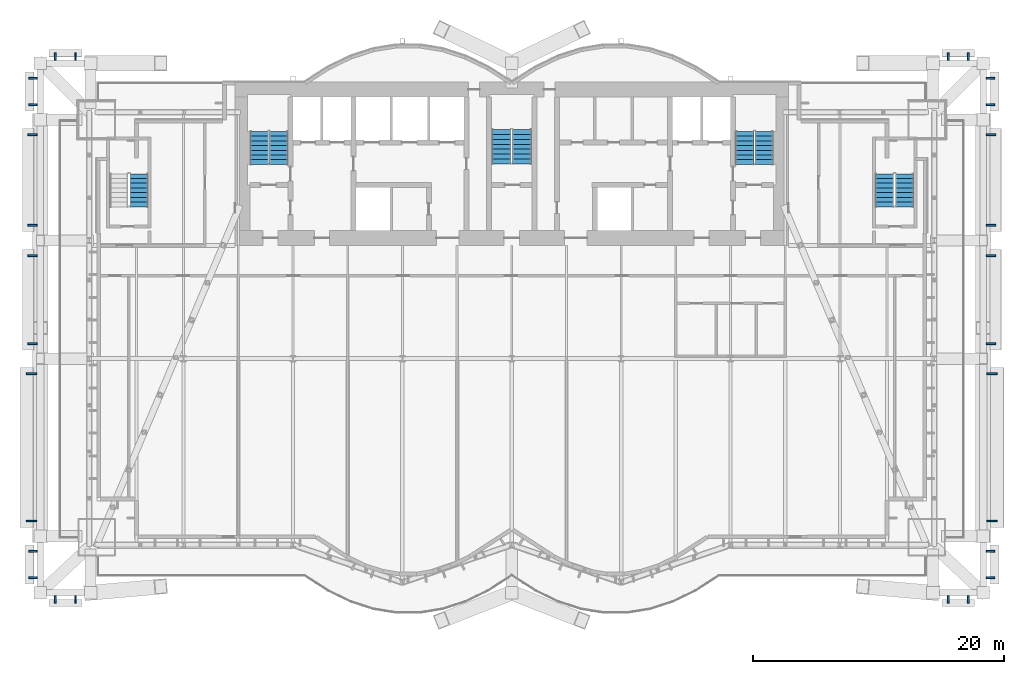
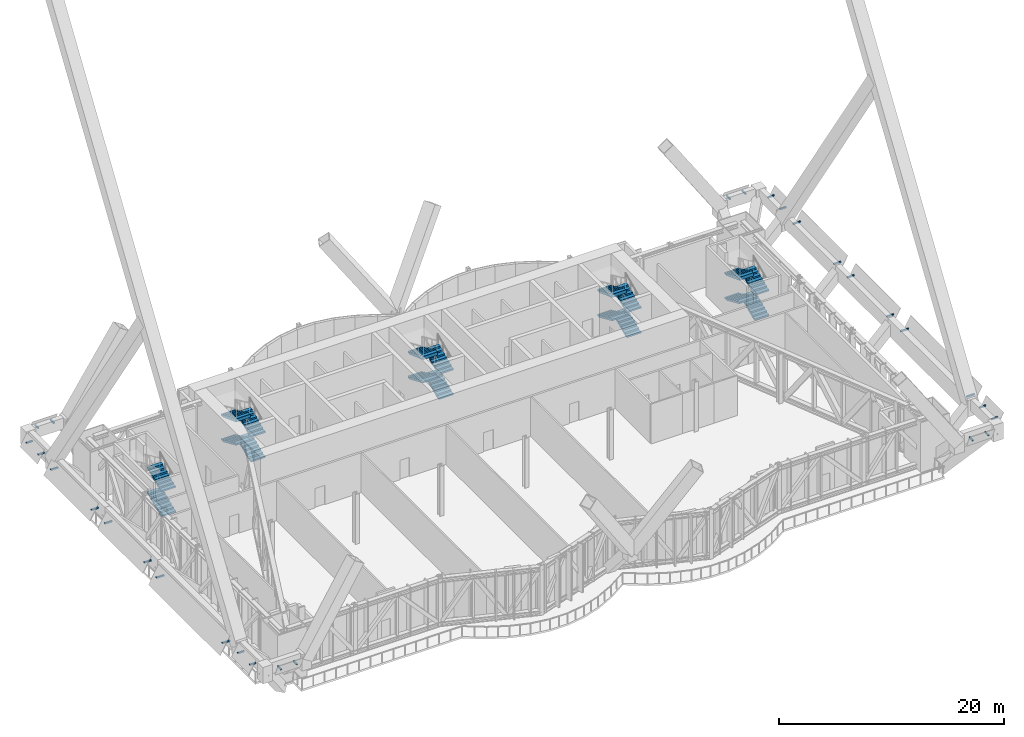
# One storey, part 29 of 32: 28 discrete accessories, 18 stair flights, 5 elements without a shape of their own.
"""IFC4 building model written with IfcOpenShell, lengths in metres."""

import ifcopenshell
import ifcopenshell.guid

model = None  # the IFC model being written
_history = None  # IfcOwnerHistory: only IFC2X3 demands one
_inside = {}  # id of a spatial element -> (the spatial element, [elements in it])
_under = {}  # id of a project, library or spatial element -> (it, [spatial elements below it])
_declared = {}  # id of a project -> (the project, [libraries it declares])
_typed = {}  # id of a type object -> (the type object, [elements of that type])
_made_of = {}  # id of a material, layer set ... -> (it, [elements and type objects made of it])


def new_model(schema):
    """Start an empty IFC model of exactly this schema.

    Asked for "IFC4X3", IfcOpenShell would pick the latest addendum, in which some entities
    have other attributes; the version numbers below select the first issue.
    IFC2X3 requires an IfcOwnerHistory on every rooted entity: one is made here for all.
    """
    global model, _history
    if schema == "IFC4X3":
        model = ifcopenshell.file(schema_version=(4, 3, 0, 0))
    else:
        model = ifcopenshell.file(schema=schema)
    _inside.clear()
    _under.clear()
    _declared.clear()
    _typed.clear()
    _made_of.clear()
    _history = None
    if model.schema == "IFC2X3":
        org = make("IfcOrganization", Name="unknown")
        user = make(
            "IfcPersonAndOrganization",
            ThePerson=make("IfcPerson", FamilyName="unknown"),
            TheOrganization=org,
        )
        app = make(
            "IfcApplication",
            ApplicationDeveloper=org,
            Version="unknown",
            ApplicationFullName="unknown",
            ApplicationIdentifier="unknown",
        )
        _history = make(
            "IfcOwnerHistory",
            OwningUser=user,
            OwningApplication=app,
            ChangeAction="ADDED",
            CreationDate=0,
        )
    return model


def make(cls, **values):
    """One entity of the class cls with the attributes given. An attribute that is None is left unset."""
    return model.create_entity(
        cls, **{name: value for name, value in values.items() if value is not None}
    )


def rooted(cls, **values):
    """An entity with a GlobalId (a new one), such as an element, a storey or a relation."""
    return make(cls, GlobalId=ifcopenshell.guid.new(), OwnerHistory=_history, **values)


def si_unit(unit_type, name, prefix=None):
    """IfcSIUnit, for example si_unit("LENGTHUNIT", "METRE", prefix="MILLI")."""
    return make("IfcSIUnit", UnitType=unit_type, Prefix=prefix, Name=name)


def assignment(units):
    """IfcUnitAssignment: the units of a project."""
    return None if units is None else make("IfcUnitAssignment", Units=units)


def point(xyz):
    """IfcCartesianPoint."""
    return None if xyz is None else make("IfcCartesianPoint", Coordinates=xyz)


def direction(xyz):
    """IfcDirection."""
    return None if xyz is None else make("IfcDirection", DirectionRatios=xyz)


def frame(location, z_axis=None, x_axis=None):
    """IfcAxis2Placement3D, a coordinate frame: its origin and axes. An axis left out is left unset."""
    return make(
        "IfcAxis2Placement3D",
        Location=point(location),
        Axis=direction(z_axis),
        RefDirection=direction(x_axis),
    )


def frame_2d(location, x_axis=None):
    """IfcAxis2Placement2D, a coordinate frame in the plane: its origin and x axis."""
    return make(
        "IfcAxis2Placement2D", Location=point(location), RefDirection=direction(x_axis)
    )


def origin():
    """The frame at (0, 0, 0) with its axes left unset."""
    return frame((0.0, 0.0, 0.0))


def origin_2d():
    """The frame at (0, 0) in the plane with its x axis left unset."""
    return frame_2d((0.0, 0.0))


def place(relative_to, where):
    """IfcLocalPlacement: puts the frame where relative to a parent placement (None: the world)."""
    return make(
        "IfcLocalPlacement", PlacementRelTo=relative_to, RelativePlacement=where
    )


def context(
    kind, dimensions, precision=None, world=None, true_north=None, identifier=None
):
    """IfcGeometricRepresentationContext, for example the 3D "Model" context."""
    return make(
        "IfcGeometricRepresentationContext",
        ContextIdentifier=identifier,
        ContextType=kind,
        CoordinateSpaceDimension=dimensions,
        Precision=precision,
        WorldCoordinateSystem=world,
        TrueNorth=true_north,
    )


def subcontext(parent, identifier, kind, view, scale=None):
    """IfcGeometricRepresentationSubContext, for example "Body" below "Model"."""
    return make(
        "IfcGeometricRepresentationSubContext",
        ContextIdentifier=identifier,
        ContextType=kind,
        ParentContext=parent,
        TargetScale=scale,
        TargetView=view,
    )


def project(units=None, contexts=None):
    """IfcProject with its units and contexts."""
    return rooted(
        "IfcProject",
        Name="project",
        RepresentationContexts=contexts,
        UnitsInContext=assignment(units),
    )


def spatial(cls, under=None, at=None, **own):
    """A site, building, storey or space (cls), placed at a placement, below another one or the project."""
    s = rooted(cls, ObjectPlacement=at, **own)
    if under is not None:
        _under.setdefault(under.id(), (under, []))[1].append(s)
    return s


def polyline(points):
    """IfcPolyline through the points."""
    return make("IfcPolyline", Points=[point(p) for p in points])


def profile(cls, at=None, kind="AREA", **sizes):
    """A parametric profile (cls). Its sizes go by their IFC names, for example OverallWidth=200.0."""
    return make(cls, ProfileType=kind, Position=at, **sizes)


def rectangle(**sizes):
    """IfcRectangleProfileDef."""
    return profile("IfcRectangleProfileDef", **sizes)


def outline(outer, holes=None, kind="AREA"):
    """IfcArbitraryClosedProfileDef: a profile drawn as a closed curve; with holes, ...WithVoids."""
    if holes is None:
        return make("IfcArbitraryClosedProfileDef", ProfileType=kind, OuterCurve=outer)
    return make(
        "IfcArbitraryProfileDefWithVoids",
        ProfileType=kind,
        OuterCurve=outer,
        InnerCurves=holes,
    )


def extrude(swept, where, along, depth):
    """IfcExtrudedAreaSolid: the profile swept, set in the frame where, extruded along a direction by depth."""
    return make(
        "IfcExtrudedAreaSolid",
        SweptArea=swept,
        Position=where,
        ExtrudedDirection=direction(along),
        Depth=depth,
    )


def shape(context_of_items, identifier, shape_type, items):
    """IfcShapeRepresentation: the items that make up one representation, for example the "Body"."""
    return make(
        "IfcShapeRepresentation",
        ContextOfItems=context_of_items,
        RepresentationIdentifier=identifier,
        RepresentationType=shape_type,
        Items=items,
    )


def material(Name=None, Category=None):
    """IfcMaterial."""
    return make("IfcMaterial", Name=Name, Category=Category)


def made_of(thing, what):
    """Note that an element or type object is made of a material, layer set ...; save() writes the relation."""
    if what is not None:
        _made_of.setdefault(what.id(), (what, []))[1].append(thing)
    return thing


def type_object(cls, material=None, **own):
    """A type object (cls), such as IfcWallType, which elements share."""
    return made_of(rooted(cls, **own), material)


def element(
    cls,
    number,
    at=None,
    inside=None,
    cuts=None,
    type_object=None,
    material=None,
    context=None,
    identifier="Body",
    shape_type=None,
    held_by="IfcProductDefinitionShape",
    body=None,
    shapes=None,
    **own,
):
    """One element of the class cls, such as IfcWall. Its Tag is "e" and its number.

    at: its placement. inside: the storey or other place that contains it. cuts: it is an
    opening in that element (IfcRelVoidsElement). A single representation is given by context,
    identifier, shape_type and body (its items); several are given by shapes. held_by: the class
    of the entity that holds the representations. save() writes the other relations.
    """
    e = rooted(cls, Tag="e%d" % number, ObjectPlacement=at, **own)
    if body is not None:
        shapes = [shape(context, identifier, shape_type, body)]
    if shapes is not None:
        e.Representation = make(held_by, Representations=shapes)
    if inside is not None:
        _inside.setdefault(inside.id(), (inside, []))[1].append(e)
    if cuts is not None:
        rooted(
            "IfcRelVoidsElement", RelatingBuildingElement=cuts, RelatedOpeningElement=e
        )
    if type_object is not None:
        _typed.setdefault(type_object.id(), (type_object, []))[1].append(e)
    return made_of(e, material)


def aggregate(whole, parts):
    """IfcRelAggregates: a whole, such as a stair, and the parts it consists of."""
    return rooted("IfcRelAggregates", RelatingObject=whole, RelatedObjects=parts)


def save(model, path):
    """Write the relations noted so far, then the file.

    IfcRelAggregates (storeys below a building ...), IfcRelContainedInSpatialStructure (elements
    in a storey), IfcRelDefinesByType, IfcRelAssociatesMaterial and IfcRelDeclares: one each for
    every whole, place, type object, material and project.
    """
    for whole, parts in _under.values():
        aggregate(whole, parts)
    for where, things in _inside.values():
        rooted(
            "IfcRelContainedInSpatialStructure",
            RelatedElements=things,
            RelatingStructure=where,
        )
    for kind, things in _typed.values():
        rooted("IfcRelDefinesByType", RelatedObjects=things, RelatingType=kind)
    for what, things in _made_of.values():
        rooted("IfcRelAssociatesMaterial", RelatedObjects=things, RelatingMaterial=what)
    for by, libraries in _declared.values():
        rooted("IfcRelDeclares", RelatingContext=by, RelatedDefinitions=libraries)
    model.write(path)


model = new_model("IFC4")

# Units and contexts
model_context = context("Model", 3, precision=1e-05, world=origin(), true_north=direction((0.0, 1.0)))
body_context = subcontext(model_context, "Body", "Model", "MODEL_VIEW")
ifc_project = project(units=[si_unit("LENGTHUNIT", "METRE"), si_unit("AREAUNIT", "SQUARE_METRE"), si_unit("VOLUMEUNIT", "CUBIC_METRE"), si_unit("PLANEANGLEUNIT", "RADIAN"), si_unit("MASSUNIT", "GRAM", prefix="KILO")], contexts=[model_context])

# Site, building, storey
site_placement = place(None, origin())
site = spatial("IfcSite", under=ifc_project, at=site_placement, CompositionType="ELEMENT")
building_placement = place(site_placement, origin())
building = spatial("IfcBuilding", under=site, at=building_placement, Name="Bicima Exchange Tower", CompositionType="ELEMENT")
storey_placement = place(building_placement, frame((0.0, 0.0, 84.5)))
storey = spatial("IfcBuildingStorey", under=building, at=storey_placement, Name="L17", CompositionType="ELEMENT", Elevation=84.5)

# Stair, stair flights
ifc_material_1 = material(Name="Concrete C50/60", Category="concrete")
stair_type_1 = type_object("IfcStairType", Name="Exit stair", PredefinedType="HALF_TURN_STAIR", material=ifc_material_1)
stair_1_placement = place(storey_placement, origin())
stair_1 = element("IfcStair", 1, at=stair_1_placement, inside=storey, type_object=stair_type_1, Name="L17 West exit stair", PredefinedType="HALF_TURN_STAIR")
stair_flight_type_1 = type_object("IfcStairFlightType", Name="Stair flight RC", PredefinedType="STRAIGHT", material=ifc_material_1)
stair_flight_1_placement = place(storey_placement, frame((-18.52490234375, -6.550048828125, 0.0), z_axis=(0.0, 0.0, 1.0), x_axis=(0.0, 1.0, 0.0)))
stair_flight_1 = element("IfcStairFlight", 2, at=stair_flight_1_placement, type_object=stair_flight_type_1, Name="ST-W flight 1", NumberOfRisers=8, NumberOfTreads=7, PredefinedType="STRAIGHT", RiserHeight=0.16875, TreadLength=0.375714286, context=body_context, shape_type="SweptSolid", body=[
    extrude(outline(polyline([(0.0, 0.0), (0.0, 0.168701171875), (0.375732421875, 0.168701171875), (0.375732421875, 0.33740234375), (0.75146484375, 0.33740234375), (0.75146484375, 0.50634765625), (1.127197265625, 0.50634765625), (1.127197265625, 0.675048828125), (1.5029296875, 0.675048828125), (1.5029296875, 0.84375), (1.878662109375, 0.84375), (1.878662109375, 1.012451171875), (2.25439453125, 1.012451171875), (2.25439453125, 1.18115234375), (2.6298828125, 1.18115234375), (2.6298828125, 1.35009765625), (2.6298828125, 1.016845703125), (0.365966796875, 0.0), (0.0, 0.0)])), frame((0.0, 0.72509765625, 0.0), z_axis=(0.0, -1.0, 0.0), x_axis=(1.0, 0.0, 0.0)), (0.0, 0.0, 1.0), 1.449951171875),
])
stair_flight_2_placement = place(storey_placement, frame((-20.074951171875, -3.919921875, 1.35009765625), z_axis=(0.0, 0.0, 1.0), x_axis=(0.0, -1.0, 0.0)))
stair_flight_2 = element("IfcStairFlight", 3, at=stair_flight_2_placement, type_object=stair_flight_type_1, Name="ST-W flight 2", NumberOfRisers=8, NumberOfTreads=7, PredefinedType="STRAIGHT", RiserHeight=0.16875, TreadLength=0.375714286, context=body_context, shape_type="SweptSolid", body=[
    extrude(outline(polyline([(0.0, 0.0), (0.0, 0.168701171875), (0.375732421875, 0.168701171875), (0.375732421875, 0.33740234375), (0.75146484375, 0.33740234375), (0.75146484375, 0.50634765625), (1.127197265625, 0.50634765625), (1.127197265625, 0.675048828125), (1.5029296875, 0.675048828125), (1.5029296875, 0.84375), (1.878662109375, 0.84375), (1.878662109375, 1.012451171875), (2.25439453125, 1.012451171875), (2.25439453125, 1.18115234375), (2.6298828125, 1.18115234375), (2.6298828125, 1.35009765625), (2.6298828125, 1.016845703125), (0.365966796875, 0.0), (0.0, 0.0)])), frame((0.0, 0.72509765625, 0.0), z_axis=(0.0, -1.0, 0.0), x_axis=(1.0, 0.0, 0.0)), (0.0, 0.0, 1.0), 1.449951171875),
])
stair_flight_3_placement = place(storey_placement, frame((-18.52490234375, -6.550048828125, 2.699951171875), z_axis=(0.0, 0.0, 1.0), x_axis=(0.0, 1.0, 0.0)))
stair_flight_3 = element("IfcStairFlight", 4, at=stair_flight_3_placement, type_object=stair_flight_type_1, Name="ST-W flight 3", NumberOfRisers=8, NumberOfTreads=7, PredefinedType="STRAIGHT", RiserHeight=0.16875, TreadLength=0.375714286, context=body_context, shape_type="SweptSolid", body=[
    extrude(outline(polyline([(0.0, 0.0), (0.0, 0.168701171875), (0.375732421875, 0.168701171875), (0.375732421875, 0.33740234375), (0.75146484375, 0.33740234375), (0.75146484375, 0.50634765625), (1.127197265625, 0.50634765625), (1.127197265625, 0.675048828125), (1.5029296875, 0.675048828125), (1.5029296875, 0.84375), (1.878662109375, 0.84375), (1.878662109375, 1.012451171875), (2.25439453125, 1.012451171875), (2.25439453125, 1.18115234375), (2.6298828125, 1.18115234375), (2.6298828125, 1.35009765625), (2.6298828125, 1.016845703125), (0.365966796875, 0.0), (0.0, 0.0)])), frame((0.0, 0.72509765625, 0.0), z_axis=(0.0, -1.0, 0.0), x_axis=(1.0, 0.0, 0.0)), (0.0, 0.0, 1.0), 1.449951171875),
])
stair_flight_4_placement = place(storey_placement, frame((-20.074951171875, -3.919921875, 4.050048828125), z_axis=(0.0, 0.0, 1.0), x_axis=(0.0, -1.0, 0.0)))
stair_flight_4 = element("IfcStairFlight", 5, at=stair_flight_4_placement, type_object=stair_flight_type_1, Name="ST-W flight 4", NumberOfRisers=8, NumberOfTreads=7, PredefinedType="STRAIGHT", RiserHeight=0.16875, TreadLength=0.375714286, context=body_context, shape_type="SweptSolid", body=[
    extrude(outline(polyline([(0.0, 0.0), (0.0, 0.168701171875), (0.375732421875, 0.168701171875), (0.375732421875, 0.33740234375), (0.75146484375, 0.33740234375), (0.75146484375, 0.50634765625), (1.127197265625, 0.50634765625), (1.127197265625, 0.675048828125), (1.5029296875, 0.675048828125), (1.5029296875, 0.84375), (1.878662109375, 0.84375), (1.878662109375, 1.012451171875), (2.25439453125, 1.012451171875), (2.25439453125, 1.18115234375), (2.6298828125, 1.18115234375), (2.6298828125, 1.2041015625), (2.64501953125, 1.2041015625), (2.64501953125, 0.85498046875), (0.365966796875, 0.0), (0.0, 0.0)])), frame((0.0, 0.72509765625, 0.0), z_axis=(0.0, -1.0, 0.0), x_axis=(1.0, 0.0, 0.0)), (0.0, 0.0, 1.0), 1.449951171875),
])
aggregate(stair_1, [stair_flight_1, stair_flight_2, stair_flight_3, stair_flight_4])

stair_2_placement = place(storey_placement, origin())
stair_2 = element("IfcStair", 6, at=stair_2_placement, inside=storey, type_object=stair_type_1, Name="L17 East exit stair", PredefinedType="HALF_TURN_STAIR")
stair_flight_5_placement = place(storey_placement, frame((20.074951171875, -6.550048828125, 0.0), z_axis=(0.0, 0.0, 1.0), x_axis=(0.0, 1.0, 0.0)))
stair_flight_5 = element("IfcStairFlight", 7, at=stair_flight_5_placement, type_object=stair_flight_type_1, Name="ST-E flight 1", NumberOfRisers=8, NumberOfTreads=7, PredefinedType="STRAIGHT", RiserHeight=0.16875, TreadLength=0.375714286, context=body_context, shape_type="SweptSolid", body=[
    extrude(outline(polyline([(0.0, 0.0), (0.0, 0.168701171875), (0.375732421875, 0.168701171875), (0.375732421875, 0.33740234375), (0.75146484375, 0.33740234375), (0.75146484375, 0.50634765625), (1.127197265625, 0.50634765625), (1.127197265625, 0.675048828125), (1.5029296875, 0.675048828125), (1.5029296875, 0.84375), (1.878662109375, 0.84375), (1.878662109375, 1.012451171875), (2.25439453125, 1.012451171875), (2.25439453125, 1.18115234375), (2.6298828125, 1.18115234375), (2.6298828125, 1.35009765625), (2.6298828125, 1.016845703125), (0.365966796875, 0.0), (0.0, 0.0)])), frame((0.0, 0.72509765625, 0.0), z_axis=(0.0, -1.0, 0.0), x_axis=(1.0, 0.0, 0.0)), (0.0, 0.0, 1.0), 1.449951171875),
])
stair_flight_6_placement = place(storey_placement, frame((18.52490234375, -3.919921875, 1.35009765625), z_axis=(0.0, 0.0, 1.0), x_axis=(0.0, -1.0, 0.0)))
stair_flight_6 = element("IfcStairFlight", 8, at=stair_flight_6_placement, type_object=stair_flight_type_1, Name="ST-E flight 2", NumberOfRisers=8, NumberOfTreads=7, PredefinedType="STRAIGHT", RiserHeight=0.16875, TreadLength=0.375714286, context=body_context, shape_type="SweptSolid", body=[
    extrude(outline(polyline([(0.0, 0.0), (0.0, 0.168701171875), (0.375732421875, 0.168701171875), (0.375732421875, 0.33740234375), (0.75146484375, 0.33740234375), (0.75146484375, 0.50634765625), (1.127197265625, 0.50634765625), (1.127197265625, 0.675048828125), (1.5029296875, 0.675048828125), (1.5029296875, 0.84375), (1.878662109375, 0.84375), (1.878662109375, 1.012451171875), (2.25439453125, 1.012451171875), (2.25439453125, 1.18115234375), (2.6298828125, 1.18115234375), (2.6298828125, 1.35009765625), (2.6298828125, 1.016845703125), (0.365966796875, 0.0), (0.0, 0.0)])), frame((0.0, 0.72509765625, 0.0), z_axis=(0.0, -1.0, 0.0), x_axis=(1.0, 0.0, 0.0)), (0.0, 0.0, 1.0), 1.449951171875),
])
stair_flight_7_placement = place(storey_placement, frame((20.074951171875, -6.550048828125, 2.699951171875), z_axis=(0.0, 0.0, 1.0), x_axis=(0.0, 1.0, 0.0)))
stair_flight_7 = element("IfcStairFlight", 9, at=stair_flight_7_placement, type_object=stair_flight_type_1, Name="ST-E flight 3", NumberOfRisers=8, NumberOfTreads=7, PredefinedType="STRAIGHT", RiserHeight=0.16875, TreadLength=0.375714286, context=body_context, shape_type="SweptSolid", body=[
    extrude(outline(polyline([(0.0, 0.0), (0.0, 0.168701171875), (0.375732421875, 0.168701171875), (0.375732421875, 0.33740234375), (0.75146484375, 0.33740234375), (0.75146484375, 0.50634765625), (1.127197265625, 0.50634765625), (1.127197265625, 0.675048828125), (1.5029296875, 0.675048828125), (1.5029296875, 0.84375), (1.878662109375, 0.84375), (1.878662109375, 1.012451171875), (2.25439453125, 1.012451171875), (2.25439453125, 1.18115234375), (2.6298828125, 1.18115234375), (2.6298828125, 1.35009765625), (2.6298828125, 1.016845703125), (0.365966796875, 0.0), (0.0, 0.0)])), frame((0.0, 0.72509765625, 0.0), z_axis=(0.0, -1.0, 0.0), x_axis=(1.0, 0.0, 0.0)), (0.0, 0.0, 1.0), 1.449951171875),
])
stair_flight_8_placement = place(storey_placement, frame((18.52490234375, -3.919921875, 4.050048828125), z_axis=(0.0, 0.0, 1.0), x_axis=(0.0, -1.0, 0.0)))
stair_flight_8 = element("IfcStairFlight", 10, at=stair_flight_8_placement, type_object=stair_flight_type_1, Name="ST-E flight 4", NumberOfRisers=8, NumberOfTreads=7, PredefinedType="STRAIGHT", RiserHeight=0.16875, TreadLength=0.375714286, context=body_context, shape_type="SweptSolid", body=[
    extrude(outline(polyline([(0.0, 0.0), (0.0, 0.168701171875), (0.375732421875, 0.168701171875), (0.375732421875, 0.33740234375), (0.75146484375, 0.33740234375), (0.75146484375, 0.50634765625), (1.127197265625, 0.50634765625), (1.127197265625, 0.675048828125), (1.5029296875, 0.675048828125), (1.5029296875, 0.84375), (1.878662109375, 0.84375), (1.878662109375, 1.012451171875), (2.25439453125, 1.012451171875), (2.25439453125, 1.18115234375), (2.6298828125, 1.18115234375), (2.6298828125, 1.2041015625), (2.64501953125, 1.2041015625), (2.64501953125, 0.85498046875), (0.365966796875, 0.0), (0.0, 0.0)])), frame((0.0, 0.72509765625, 0.0), z_axis=(0.0, -1.0, 0.0), x_axis=(1.0, 0.0, 0.0)), (0.0, 0.0, 1.0), 1.449951171875),
])
aggregate(stair_2, [stair_flight_5, stair_flight_6, stair_flight_7, stair_flight_8])

stair_3_placement = place(storey_placement, origin())
stair_3 = element("IfcStair", 11, at=stair_3_placement, inside=storey, type_object=stair_type_1, Name="L17 West end exit stair", PredefinedType="HALF_TURN_STAIR")
stair_flight_9_placement = place(storey_placement, frame((-29.64990234375, -9.925048828125, 0.0), z_axis=(0.0, 0.0, 1.0), x_axis=(0.0, 1.0, 0.0)))
stair_flight_9 = element("IfcStairFlight", 12, at=stair_flight_9_placement, type_object=stair_flight_type_1, Name="ST-WW flight 1", NumberOfRisers=8, NumberOfTreads=7, PredefinedType="STRAIGHT", RiserHeight=0.16875, TreadLength=0.375714286, context=body_context, shape_type="SweptSolid", body=[
    extrude(outline(polyline([(0.0, 0.0), (0.0, 0.168701171875), (0.375732421875, 0.168701171875), (0.375732421875, 0.33740234375), (0.75146484375, 0.33740234375), (0.75146484375, 0.50634765625), (1.127197265625, 0.50634765625), (1.127197265625, 0.675048828125), (1.5029296875, 0.675048828125), (1.5029296875, 0.84375), (1.878662109375, 0.84375), (1.878662109375, 1.012451171875), (2.25439453125, 1.012451171875), (2.25439453125, 1.18115234375), (2.6298828125, 1.18115234375), (2.6298828125, 1.35009765625), (2.6298828125, 1.016845703125), (0.365966796875, 0.0), (0.0, 0.0)])), frame((0.0, 0.72509765625, 0.0), z_axis=(0.0, -1.0, 0.0), x_axis=(1.0, 0.0, 0.0)), (0.0, 0.0, 1.0), 1.449951171875),
])
stair_flight_10_placement = place(storey_placement, frame((-29.64990234375, -9.925048828125, 2.699951171875), z_axis=(0.0, 0.0, 1.0), x_axis=(0.0, 1.0, 0.0)))
stair_flight_10 = element("IfcStairFlight", 13, at=stair_flight_10_placement, type_object=stair_flight_type_1, Name="ST-WW flight 3", NumberOfRisers=8, NumberOfTreads=7, PredefinedType="STRAIGHT", RiserHeight=0.16875, TreadLength=0.375714286, context=body_context, shape_type="SweptSolid", body=[
    extrude(outline(polyline([(0.0, 0.0), (0.0, 0.168701171875), (0.375732421875, 0.168701171875), (0.375732421875, 0.33740234375), (0.75146484375, 0.33740234375), (0.75146484375, 0.50634765625), (1.127197265625, 0.50634765625), (1.127197265625, 0.675048828125), (1.5029296875, 0.675048828125), (1.5029296875, 0.84375), (1.878662109375, 0.84375), (1.878662109375, 1.012451171875), (2.25439453125, 1.012451171875), (2.25439453125, 1.18115234375), (2.6298828125, 1.18115234375), (2.6298828125, 1.35009765625), (2.6298828125, 1.016845703125), (0.365966796875, 0.0), (0.0, 0.0)])), frame((0.0, 0.72509765625, 0.0), z_axis=(0.0, -1.0, 0.0), x_axis=(1.0, 0.0, 0.0)), (0.0, 0.0, 1.0), 1.449951171875),
])
aggregate(stair_3, [stair_flight_9, stair_flight_10])

stair_4_placement = place(storey_placement, origin())
stair_4 = element("IfcStair", 14, at=stair_4_placement, inside=storey, type_object=stair_type_1, Name="L17 East end exit stair", PredefinedType="HALF_TURN_STAIR")
stair_flight_11_placement = place(storey_placement, frame((31.25, -9.925048828125, 0.0), z_axis=(0.0, 0.0, 1.0), x_axis=(0.0, 1.0, 0.0)))
stair_flight_11 = element("IfcStairFlight", 15, at=stair_flight_11_placement, type_object=stair_flight_type_1, Name="ST-EE flight 1", NumberOfRisers=8, NumberOfTreads=7, PredefinedType="STRAIGHT", RiserHeight=0.16875, TreadLength=0.375714286, context=body_context, shape_type="SweptSolid", body=[
    extrude(outline(polyline([(0.0, 0.0), (0.0, 0.168701171875), (0.375732421875, 0.168701171875), (0.375732421875, 0.33740234375), (0.75146484375, 0.33740234375), (0.75146484375, 0.50634765625), (1.127197265625, 0.50634765625), (1.127197265625, 0.675048828125), (1.5029296875, 0.675048828125), (1.5029296875, 0.84375), (1.878662109375, 0.84375), (1.878662109375, 1.012451171875), (2.25439453125, 1.012451171875), (2.25439453125, 1.18115234375), (2.6298828125, 1.18115234375), (2.6298828125, 1.35009765625), (2.6298828125, 1.016845703125), (0.365966796875, 0.0), (0.0, 0.0)])), frame((0.0, 0.72509765625, 0.0), z_axis=(0.0, -1.0, 0.0), x_axis=(1.0, 0.0, 0.0)), (0.0, 0.0, 1.0), 1.449951171875),
])
stair_flight_12_placement = place(storey_placement, frame((29.64990234375, -7.294921875, 1.35009765625), z_axis=(0.0, 0.0, 1.0), x_axis=(0.0, -1.0, 0.0)))
stair_flight_12 = element("IfcStairFlight", 16, at=stair_flight_12_placement, type_object=stair_flight_type_1, Name="ST-EE flight 2", NumberOfRisers=8, NumberOfTreads=7, PredefinedType="STRAIGHT", RiserHeight=0.16875, TreadLength=0.375714286, context=body_context, shape_type="SweptSolid", body=[
    extrude(outline(polyline([(0.0, 0.0), (0.0, 0.168701171875), (0.375732421875, 0.168701171875), (0.375732421875, 0.33740234375), (0.75146484375, 0.33740234375), (0.75146484375, 0.50634765625), (1.127197265625, 0.50634765625), (1.127197265625, 0.675048828125), (1.5029296875, 0.675048828125), (1.5029296875, 0.84375), (1.878662109375, 0.84375), (1.878662109375, 1.012451171875), (2.25439453125, 1.012451171875), (2.25439453125, 1.18115234375), (2.6298828125, 1.18115234375), (2.6298828125, 1.35009765625), (2.6298828125, 1.016845703125), (0.365966796875, 0.0), (0.0, 0.0)])), frame((0.0, 0.72509765625, 0.0), z_axis=(0.0, -1.0, 0.0), x_axis=(1.0, 0.0, 0.0)), (0.0, 0.0, 1.0), 1.449951171875),
])
stair_flight_13_placement = place(storey_placement, frame((31.25, -9.925048828125, 2.699951171875), z_axis=(0.0, 0.0, 1.0), x_axis=(0.0, 1.0, 0.0)))
stair_flight_13 = element("IfcStairFlight", 17, at=stair_flight_13_placement, type_object=stair_flight_type_1, Name="ST-EE flight 3", NumberOfRisers=8, NumberOfTreads=7, PredefinedType="STRAIGHT", RiserHeight=0.16875, TreadLength=0.375714286, context=body_context, shape_type="SweptSolid", body=[
    extrude(outline(polyline([(0.0, 0.0), (0.0, 0.168701171875), (0.375732421875, 0.168701171875), (0.375732421875, 0.33740234375), (0.75146484375, 0.33740234375), (0.75146484375, 0.50634765625), (1.127197265625, 0.50634765625), (1.127197265625, 0.675048828125), (1.5029296875, 0.675048828125), (1.5029296875, 0.84375), (1.878662109375, 0.84375), (1.878662109375, 1.012451171875), (2.25439453125, 1.012451171875), (2.25439453125, 1.18115234375), (2.6298828125, 1.18115234375), (2.6298828125, 1.35009765625), (2.6298828125, 1.016845703125), (0.365966796875, 0.0), (0.0, 0.0)])), frame((0.0, 0.72509765625, 0.0), z_axis=(0.0, -1.0, 0.0), x_axis=(1.0, 0.0, 0.0)), (0.0, 0.0, 1.0), 1.449951171875),
])
stair_flight_14_placement = place(storey_placement, frame((29.64990234375, -7.294921875, 4.050048828125), z_axis=(0.0, 0.0, 1.0), x_axis=(0.0, -1.0, 0.0)))
stair_flight_14 = element("IfcStairFlight", 18, at=stair_flight_14_placement, type_object=stair_flight_type_1, Name="ST-EE flight 4", NumberOfRisers=8, NumberOfTreads=7, PredefinedType="STRAIGHT", RiserHeight=0.16875, TreadLength=0.375714286, context=body_context, shape_type="SweptSolid", body=[
    extrude(outline(polyline([(0.0, 0.0), (0.0, 0.168701171875), (0.375732421875, 0.168701171875), (0.375732421875, 0.33740234375), (0.75146484375, 0.33740234375), (0.75146484375, 0.50634765625), (1.127197265625, 0.50634765625), (1.127197265625, 0.675048828125), (1.5029296875, 0.675048828125), (1.5029296875, 0.84375), (1.878662109375, 0.84375), (1.878662109375, 1.012451171875), (2.25439453125, 1.012451171875), (2.25439453125, 1.18115234375), (2.6298828125, 1.18115234375), (2.6298828125, 1.2041015625), (2.64501953125, 1.2041015625), (2.64501953125, 0.85498046875), (0.365966796875, 0.0), (0.0, 0.0)])), frame((0.0, 0.72509765625, 0.0), z_axis=(0.0, -1.0, 0.0), x_axis=(1.0, 0.0, 0.0)), (0.0, 0.0, 1.0), 1.449951171875),
])
aggregate(stair_4, [stair_flight_11, stair_flight_12, stair_flight_13, stair_flight_14])

stair_type_2 = type_object("IfcStairType", Name="Exit stair 1500", PredefinedType="HALF_TURN_STAIR", material=ifc_material_1)
stair_5_placement = place(storey_placement, origin())
stair_5 = element("IfcStair", 19, at=stair_5_placement, inside=storey, type_object=stair_type_2, Name="L17 Central exit stair", PredefinedType="HALF_TURN_STAIR")
stair_flight_type_2 = type_object("IfcStairFlightType", Name="Stair flight RC 1500", PredefinedType="STRAIGHT", material=ifc_material_1)
stair_flight_15_placement = place(storey_placement, frame((0.824951171875, -6.5, 0.0), z_axis=(0.0, 0.0, 1.0), x_axis=(0.0, 1.0, 0.0)))
stair_flight_15 = element("IfcStairFlight", 20, at=stair_flight_15_placement, type_object=stair_flight_type_2, Name="ST-C flight 1", NumberOfRisers=8, NumberOfTreads=7, PredefinedType="STRAIGHT", RiserHeight=0.16875, TreadLength=0.388571429, context=body_context, shape_type="SweptSolid", body=[
    extrude(outline(polyline([(0.0, 0.0), (0.0, 0.168701171875), (0.388671875, 0.168701171875), (0.388671875, 0.33740234375), (0.777099609375, 0.33740234375), (0.777099609375, 0.50634765625), (1.165771484375, 0.50634765625), (1.165771484375, 0.675048828125), (1.55419921875, 0.675048828125), (1.55419921875, 0.84375), (1.94287109375, 0.84375), (1.94287109375, 1.012451171875), (2.33154296875, 1.012451171875), (2.33154296875, 1.18115234375), (2.719970703125, 1.18115234375), (2.719970703125, 1.35009765625), (2.719970703125, 1.017822265625), (0.376220703125, 0.0), (0.0, 0.0)])), frame((0.0, 0.75, 0.0), z_axis=(0.0, -1.0, 0.0), x_axis=(1.0, 0.0, 0.0)), (0.0, 0.0, 1.0), 1.5),
])
stair_flight_16_placement = place(storey_placement, frame((-0.824951171875, -3.780029296875, 1.35009765625), z_axis=(0.0, 0.0, 1.0), x_axis=(0.0, -1.0, 0.0)))
stair_flight_16 = element("IfcStairFlight", 21, at=stair_flight_16_placement, type_object=stair_flight_type_2, Name="ST-C flight 2", NumberOfRisers=8, NumberOfTreads=7, PredefinedType="STRAIGHT", RiserHeight=0.16875, TreadLength=0.388571429, context=body_context, shape_type="SweptSolid", body=[
    extrude(outline(polyline([(0.0, 0.0), (0.0, 0.168701171875), (0.388671875, 0.168701171875), (0.388671875, 0.33740234375), (0.777099609375, 0.33740234375), (0.777099609375, 0.50634765625), (1.165771484375, 0.50634765625), (1.165771484375, 0.675048828125), (1.55419921875, 0.675048828125), (1.55419921875, 0.84375), (1.94287109375, 0.84375), (1.94287109375, 1.012451171875), (2.33154296875, 1.012451171875), (2.33154296875, 1.18115234375), (2.719970703125, 1.18115234375), (2.719970703125, 1.35009765625), (2.719970703125, 1.017822265625), (0.376220703125, 0.0), (0.0, 0.0)])), frame((0.0, 0.75, 0.0), z_axis=(0.0, -1.0, 0.0), x_axis=(1.0, 0.0, 0.0)), (0.0, 0.0, 1.0), 1.5),
])
stair_flight_17_placement = place(storey_placement, frame((0.824951171875, -6.5, 2.699951171875), z_axis=(0.0, 0.0, 1.0), x_axis=(0.0, 1.0, 0.0)))
stair_flight_17 = element("IfcStairFlight", 22, at=stair_flight_17_placement, type_object=stair_flight_type_2, Name="ST-C flight 3", NumberOfRisers=8, NumberOfTreads=7, PredefinedType="STRAIGHT", RiserHeight=0.16875, TreadLength=0.388571429, context=body_context, shape_type="SweptSolid", body=[
    extrude(outline(polyline([(0.0, 0.0), (0.0, 0.168701171875), (0.388671875, 0.168701171875), (0.388671875, 0.33740234375), (0.777099609375, 0.33740234375), (0.777099609375, 0.50634765625), (1.165771484375, 0.50634765625), (1.165771484375, 0.675048828125), (1.55419921875, 0.675048828125), (1.55419921875, 0.84375), (1.94287109375, 0.84375), (1.94287109375, 1.012451171875), (2.33154296875, 1.012451171875), (2.33154296875, 1.18115234375), (2.719970703125, 1.18115234375), (2.719970703125, 1.35009765625), (2.719970703125, 1.017822265625), (0.376220703125, 0.0), (0.0, 0.0)])), frame((0.0, 0.75, 0.0), z_axis=(0.0, -1.0, 0.0), x_axis=(1.0, 0.0, 0.0)), (0.0, 0.0, 1.0), 1.5),
])
stair_flight_18_placement = place(storey_placement, frame((-0.824951171875, -3.780029296875, 4.050048828125), z_axis=(0.0, 0.0, 1.0), x_axis=(0.0, -1.0, 0.0)))
stair_flight_18 = element("IfcStairFlight", 23, at=stair_flight_18_placement, type_object=stair_flight_type_2, Name="ST-C flight 4", NumberOfRisers=8, NumberOfTreads=7, PredefinedType="STRAIGHT", RiserHeight=0.16875, TreadLength=0.388571429, context=body_context, shape_type="SweptSolid", body=[
    extrude(outline(polyline([(0.0, 0.0), (0.0, 0.168701171875), (0.388671875, 0.168701171875), (0.388671875, 0.33740234375), (0.777099609375, 0.33740234375), (0.777099609375, 0.50634765625), (1.165771484375, 0.50634765625), (1.165771484375, 0.675048828125), (1.55419921875, 0.675048828125), (1.55419921875, 0.84375), (1.94287109375, 0.84375), (1.94287109375, 1.012451171875), (2.33154296875, 1.012451171875), (2.33154296875, 1.18115234375), (2.719970703125, 1.18115234375), (2.719970703125, 1.2041015625), (2.735107421875, 1.2041015625), (2.735107421875, 0.85546875), (0.376220703125, 0.0), (0.0, 0.0)])), frame((0.0, 0.75, 0.0), z_axis=(0.0, -1.0, 0.0), x_axis=(1.0, 0.0, 0.0)), (0.0, 0.0, 1.0), 1.5),
])
aggregate(stair_5, [stair_flight_15, stair_flight_16, stair_flight_17, stair_flight_18])

# Discrete accessories
ifc_material_2 = material(Name="Steel ASTM A572 Gr 50", Category="steel")
discrete_accessory_type = type_object("IfcDiscreteAccessoryType", Name="Belt fascia bracket", PredefinedType="BRACKET", material=ifc_material_2)
for number, where, z_axis, x_axis, name in (
    (24, (-36.300048828125, -41.139404296875, 4.574951171875), (0.0, 0.0, 1.0), (1.0, 0.0, 0.0), "Belt fascia bracket"),
    (25, (-34.699951171875, -41.139404296875, 4.574951171875), (0.0, 0.0, 1.0), (1.0, 0.0, 0.0), "Belt fascia bracket"),
    (26, (34.699951171875, -41.139404296875, 4.574951171875), (0.0, 0.0, 1.0), (1.0, 0.0, 0.0), "Belt fascia bracket"),
    (27, (36.300048828125, -41.139404296875, 4.574951171875), (0.0, 0.0, 1.0), (1.0, 0.0, 0.0), "Belt fascia bracket"),
):
    element("IfcDiscreteAccessory", number, at=place(storey_placement, frame(where, z_axis=z_axis, x_axis=x_axis)), inside=storey, type_object=discrete_accessory_type, Name=name, PredefinedType="BRACKET", context=body_context, shape_type="SweptSolid", body=[
        extrude(rectangle(XDim=0.14990234375, YDim=0.59326171875, at=origin_2d()), origin(), (0.0, 0.0, 1.0), 0.14990234375),
    ])
for number, where, z_axis, x_axis, name in (
    (28, (38.065673828125, -39.41259765625, 4.574951171875), (0.0, 0.0, 1.0), (0.0, 1.0, 0.0), "Belt fascia bracket"),
    (29, (38.065673828125, -37.312744140625, 4.574951171875), (0.0, 0.0, 1.0), (0.0, 1.0, 0.0), "Belt fascia bracket"),
):
    element("IfcDiscreteAccessory", number, at=place(storey_placement, frame(where, z_axis=z_axis, x_axis=x_axis)), inside=storey, type_object=discrete_accessory_type, Name=name, PredefinedType="BRACKET", context=body_context, shape_type="SweptSolid", body=[
        extrude(rectangle(XDim=0.14990234375, YDim=0.671142578125, at=origin_2d()), origin(), (0.0, 0.0, 1.0), 0.14990234375),
    ])
for number, where, z_axis, x_axis, name in (
    (30, (38.197998046875, -34.91259765625, 4.275146484375), (0.0, 0.0, 1.0), (0.0, 1.0, 0.0), "Belt fascia bracket"),
    (31, (38.197998046875, -23.199951171875, 4.275146484375), (0.0, 0.0, 1.0), (0.0, 1.0, 0.0), "Belt fascia bracket"),
):
    element("IfcDiscreteAccessory", number, at=place(storey_placement, frame(where, z_axis=z_axis, x_axis=x_axis)), inside=storey, type_object=discrete_accessory_type, Name=name, PredefinedType="BRACKET", context=body_context, shape_type="SweptSolid", body=[
        extrude(rectangle(XDim=0.14990234375, YDim=0.8359375, at=origin_2d()), origin(), (0.0, 0.0, 1.0), 0.14990234375),
    ])
for number, where, z_axis, x_axis, name in (
    (32, (38.106689453125, -20.800048828125, 4.425048828125), (0.0, 0.0, 1.0), (0.0, 1.0, 0.0), "Belt fascia bracket"),
    (33, (38.106689453125, -13.800048828125, 4.425048828125), (0.0, 0.0, 1.0), (0.0, 1.0, 0.0), "Belt fascia bracket"),
    (34, (38.106689453125, -11.39990234375, 4.425048828125), (0.0, 0.0, 1.0), (0.0, 1.0, 0.0), "Belt fascia bracket"),
    (35, (38.106689453125, -4.199951171875, 4.425048828125), (0.0, 0.0, 1.0), (0.0, 1.0, 0.0), "Belt fascia bracket"),
):
    element("IfcDiscreteAccessory", number, at=place(storey_placement, frame(where, z_axis=z_axis, x_axis=x_axis)), inside=storey, type_object=discrete_accessory_type, Name=name, PredefinedType="BRACKET", context=body_context, shape_type="SweptSolid", body=[
        extrude(rectangle(XDim=0.14990234375, YDim=0.75341796875, at=origin_2d()), origin(), (0.0, 0.0, 1.0), 0.14990234375),
    ])
for number, where, z_axis, x_axis, name in (
    (36, (38.065673828125, -1.800048828125, 4.574951171875), (0.0, 0.0, 1.0), (0.0, 1.0, 0.0), "Belt fascia bracket"),
    (37, (38.065673828125, 0.300048828125, 4.574951171875), (0.0, 0.0, 1.0), (0.0, 1.0, 0.0), "Belt fascia bracket"),
):
    element("IfcDiscreteAccessory", number, at=place(storey_placement, frame(where, z_axis=z_axis, x_axis=x_axis)), inside=storey, type_object=discrete_accessory_type, Name=name, PredefinedType="BRACKET", context=body_context, shape_type="SweptSolid", body=[
        extrude(rectangle(XDim=0.14990234375, YDim=0.671142578125, at=origin_2d()), origin(), (0.0, 0.0, 1.0), 0.14990234375),
    ])
for number, where, z_axis, x_axis, name in (
    (38, (36.300048828125, 2.026611328125, 4.574951171875), (0.0, 0.0, 1.0), (-1.0, 0.0, 0.0), "Belt fascia bracket"),
    (39, (34.699951171875, 2.026611328125, 4.574951171875), (0.0, 0.0, 1.0), (-1.0, 0.0, 0.0), "Belt fascia bracket"),
    (40, (-34.699951171875, 2.026611328125, 4.574951171875), (0.0, 0.0, 1.0), (-1.0, 0.0, 0.0), "Belt fascia bracket"),
    (41, (-36.300048828125, 2.026611328125, 4.574951171875), (0.0, 0.0, 1.0), (-1.0, 0.0, 0.0), "Belt fascia bracket"),
):
    element("IfcDiscreteAccessory", number, at=place(storey_placement, frame(where, z_axis=z_axis, x_axis=x_axis)), inside=storey, type_object=discrete_accessory_type, Name=name, PredefinedType="BRACKET", context=body_context, shape_type="SweptSolid", body=[
        extrude(rectangle(XDim=0.14990234375, YDim=0.59326171875, at=origin_2d()), origin(), (0.0, 0.0, 1.0), 0.14990234375),
    ])
for number, where, z_axis, x_axis, name in (
    (42, (-38.065673828125, 0.300048828125, 4.574951171875), (0.0, 0.0, 1.0), (0.0, -1.0, 0.0), "Belt fascia bracket"),
    (43, (-38.065673828125, -1.800048828125, 4.574951171875), (0.0, 0.0, 1.0), (0.0, -1.0, 0.0), "Belt fascia bracket"),
):
    element("IfcDiscreteAccessory", number, at=place(storey_placement, frame(where, z_axis=z_axis, x_axis=x_axis)), inside=storey, type_object=discrete_accessory_type, Name=name, PredefinedType="BRACKET", context=body_context, shape_type="SweptSolid", body=[
        extrude(rectangle(XDim=0.14990234375, YDim=0.671142578125, at=origin_2d()), origin(), (0.0, 0.0, 1.0), 0.14990234375),
    ])
for number, where, z_axis, x_axis, name in (
    (44, (-38.106689453125, -4.199951171875, 4.425048828125), (0.0, 0.0, 1.0), (0.0, -1.0, 0.0), "Belt fascia bracket"),
    (45, (-38.106689453125, -11.39990234375, 4.425048828125), (0.0, 0.0, 1.0), (0.0, -1.0, 0.0), "Belt fascia bracket"),
    (46, (-38.106689453125, -13.800048828125, 4.425048828125), (0.0, 0.0, 1.0), (0.0, -1.0, 0.0), "Belt fascia bracket"),
    (47, (-38.106689453125, -20.800048828125, 4.425048828125), (0.0, 0.0, 1.0), (0.0, -1.0, 0.0), "Belt fascia bracket"),
):
    element("IfcDiscreteAccessory", number, at=place(storey_placement, frame(where, z_axis=z_axis, x_axis=x_axis)), inside=storey, type_object=discrete_accessory_type, Name=name, PredefinedType="BRACKET", context=body_context, shape_type="SweptSolid", body=[
        extrude(rectangle(XDim=0.14990234375, YDim=0.75341796875, at=origin_2d()), origin(), (0.0, 0.0, 1.0), 0.14990234375),
    ])
for number, where, z_axis, x_axis, name in (
    (48, (-38.197998046875, -23.199951171875, 4.275146484375), (0.0, 0.0, 1.0), (0.0, -1.0, 0.0), "Belt fascia bracket"),
    (49, (-38.197998046875, -34.91259765625, 4.275146484375), (0.0, 0.0, 1.0), (0.0, -1.0, 0.0), "Belt fascia bracket"),
):
    element("IfcDiscreteAccessory", number, at=place(storey_placement, frame(where, z_axis=z_axis, x_axis=x_axis)), inside=storey, type_object=discrete_accessory_type, Name=name, PredefinedType="BRACKET", context=body_context, shape_type="SweptSolid", body=[
        extrude(rectangle(XDim=0.14990234375, YDim=0.8359375, at=origin_2d()), origin(), (0.0, 0.0, 1.0), 0.14990234375),
    ])
for number, where, z_axis, x_axis, name in (
    (50, (-38.065673828125, -37.312744140625, 4.574951171875), (0.0, 0.0, 1.0), (0.0, -1.0, 0.0), "Belt fascia bracket"),
    (51, (-38.065673828125, -39.41259765625, 4.574951171875), (0.0, 0.0, 1.0), (0.0, -1.0, 0.0), "Belt fascia bracket"),
):
    element("IfcDiscreteAccessory", number, at=place(storey_placement, frame(where, z_axis=z_axis, x_axis=x_axis)), inside=storey, type_object=discrete_accessory_type, Name=name, PredefinedType="BRACKET", context=body_context, shape_type="SweptSolid", body=[
        extrude(rectangle(XDim=0.14990234375, YDim=0.671142578125, at=origin_2d()), origin(), (0.0, 0.0, 1.0), 0.14990234375),
    ])

save(model, "model.ifc")
